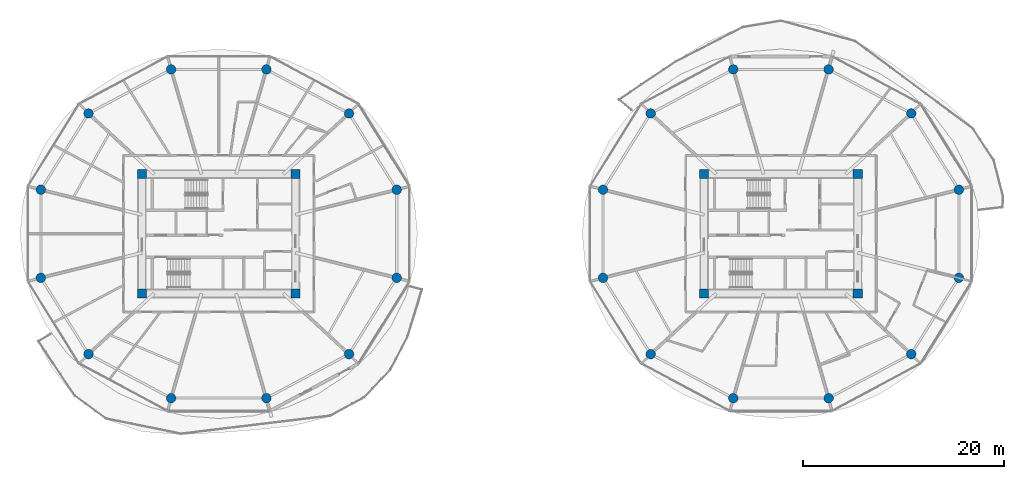
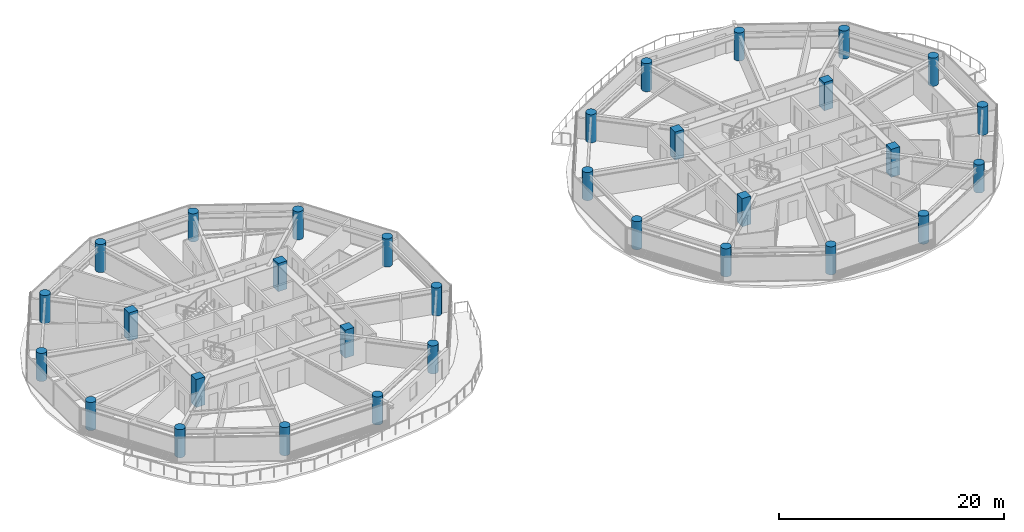
# One storey, part 1 of 26: 32 columns.
"""IFC4 building model written with IfcOpenShell, lengths in metres."""

from ifc_helpers import new_model, si_unit, direction, frame, origin, origin_2d, place, context, subcontext, project, spatial, rectangle, circle, extrude, source, transform, mapped, material, material_profile, profile_set, type_object, type_shapes, element, save


model = new_model("IFC4")

# Units and contexts
model_context = context("Model", 3, precision=1e-05, world=origin(), true_north=direction((0.0, 1.0)))
body_context = subcontext(model_context, "Body", "Model", "MODEL_VIEW")
ifc_project = project(units=[si_unit("LENGTHUNIT", "METRE"), si_unit("AREAUNIT", "SQUARE_METRE"), si_unit("VOLUMEUNIT", "CUBIC_METRE"), si_unit("PLANEANGLEUNIT", "RADIAN"), si_unit("MASSUNIT", "GRAM", prefix="KILO")], contexts=[model_context])

# Site, building, storey
site_placement = place(None, origin())
site = spatial("IfcSite", under=ifc_project, at=site_placement, CompositionType="ELEMENT")
building_placement = place(site_placement, origin())
building = spatial("IfcBuilding", under=site, at=building_placement, Name="Norrkilde Senior Care Towers", CompositionType="ELEMENT")
storey_placement = place(building_placement, frame((0.0, 0.0, 55.14990234375)))
storey = spatial("IfcBuildingStorey", under=building, at=storey_placement, Name="L16", CompositionType="ELEMENT", Elevation=55.14990234375)

# Columns
ifc_material = material(Name="Concrete C60/75", Category="concrete")
ifc_material_profile_1 = material_profile(ifc_material, rectangle(XDim=0.89990234375, YDim=0.89990234375, at=origin_2d()), Name="RC COL 900x900")
ifc_profile_set_1 = profile_set([ifc_material_profile_1], Name="Concrete C60/75")
column_type_1 = type_object("IfcColumnType", Name="Column Core Corner Z1-Z2 900", PredefinedType="COLUMN", material=ifc_profile_set_1)
shared_shape_1 = source(origin(), body_context, "Body", "SweptSolid", [
    extrude(rectangle(XDim=0.89990234375, YDim=0.89990234375, at=origin_2d()), origin(), (0.0, 0.0, 1.0), 3.050048828125),
])
type_shapes(column_type_1, [shared_shape_1])
for number, where, z_axis, x_axis, name in (
    (1, (-35.64990234375, -5.949951171875, 0.0), (0.0, 0.0, 1.0), (1.0, 0.0, 0.0), "L16 Core W Corner Column 1"),
    (2, (-20.35009765625, -5.949951171875, 0.0), (0.0, 0.0, 1.0), (1.0, 0.0, 0.0), "L16 Core W Corner Column 2"),
    (3, (-20.35009765625, 5.949951171875, 0.0), (0.0, 0.0, 1.0), (1.0, 0.0, 0.0), "L16 Core W Corner Column 3"),
    (4, (-35.64990234375, 5.949951171875, 0.0), (0.0, 0.0, 1.0), (1.0, 0.0, 0.0), "L16 Core W Corner Column 4"),
    (5, (20.35009765625, -5.949951171875, 0.0), (0.0, 0.0, 1.0), (1.0, 0.0, 0.0), "L16 Core E Corner Column 1"),
    (6, (35.64990234375, -5.949951171875, 0.0), (0.0, 0.0, 1.0), (1.0, 0.0, 0.0), "L16 Core E Corner Column 2"),
    (7, (35.64990234375, 5.949951171875, 0.0), (0.0, 0.0, 1.0), (1.0, 0.0, 0.0), "L16 Core E Corner Column 3"),
    (8, (20.35009765625, 5.949951171875, 0.0), (0.0, 0.0, 1.0), (1.0, 0.0, 0.0), "L16 Core E Corner Column 4"),
):
    element("IfcColumn", number, at=place(storey_placement, frame(where, z_axis=z_axis, x_axis=x_axis)), inside=storey, type_object=column_type_1, Name=name, PredefinedType="COLUMN", context=body_context, shape_type="MappedRepresentation", body=[
        mapped(shared_shape_1, transform((0.0, 0.0, 0.0), x_axis=(1.0, 0.0, 0.0), y_axis=(0.0, 1.0, 0.0), z_axis=(0.0, 0.0, 1.0), scale=1.0)),
    ])
ifc_material_profile_2 = material_profile(ifc_material, circle(Radius=0.47509765625, at=origin_2d()), Name="RC CIR 950")
ifc_profile_set_2 = profile_set([ifc_material_profile_2], Name="Concrete C60/75")
column_type_2 = type_object("IfcColumnType", Name="Column Perimeter Z1 950", PredefinedType="COLUMN", material=ifc_profile_set_2)
shared_shape_2 = source(origin(), body_context, "Body", "SweptSolid", [
    extrude(circle(Radius=0.47509765625, at=origin_2d()), origin(), (0.0, 0.0, 1.0), 3.050048828125),
])
type_shapes(column_type_2, [shared_shape_2])
for number, where, z_axis, x_axis, name in (
    (9, (-10.275146484375, 4.386962890625, 0.0), (0.0, 0.0, 1.0), (1.0, 0.0, 0.0), "L16 Drum W Perimeter Column 01"),
    (10, (-15.024658203125, 11.9853515625, 0.0), (0.0, 0.0, 1.0), (1.0, 0.0, 0.0), "L16 Drum W Perimeter Column 02"),
    (11, (-23.250732421875, 16.37255859375, 0.0), (0.0, 0.0, 1.0), (1.0, 0.0, 0.0), "L16 Drum W Perimeter Column 03"),
    (12, (-32.749267578125, 16.37255859375, 0.0), (0.0, 0.0, 1.0), (1.0, 0.0, 0.0), "L16 Drum W Perimeter Column 04"),
    (13, (-40.975341796875, 11.9853515625, 0.0), (0.0, 0.0, 1.0), (1.0, 0.0, 0.0), "L16 Drum W Perimeter Column 05"),
    (14, (-45.724853515625, 4.386962890625, 0.0), (0.0, 0.0, 1.0), (1.0, 0.0, 0.0), "L16 Drum W Perimeter Column 06"),
    (15, (-45.724853515625, -4.386962890625, 0.0), (0.0, 0.0, 1.0), (1.0, 0.0, 0.0), "L16 Drum W Perimeter Column 07"),
    (16, (-40.975341796875, -11.9853515625, 0.0), (0.0, 0.0, 1.0), (1.0, 0.0, 0.0), "L16 Drum W Perimeter Column 08"),
    (17, (-32.749267578125, -16.37255859375, 0.0), (0.0, 0.0, 1.0), (1.0, 0.0, 0.0), "L16 Drum W Perimeter Column 09"),
    (18, (-23.250732421875, -16.37255859375, 0.0), (0.0, 0.0, 1.0), (1.0, 0.0, 0.0), "L16 Drum W Perimeter Column 10"),
    (19, (-15.024658203125, -11.9853515625, 0.0), (0.0, 0.0, 1.0), (1.0, 0.0, 0.0), "L16 Drum W Perimeter Column 11"),
    (20, (-10.275146484375, -4.386962890625, 0.0), (0.0, 0.0, 1.0), (1.0, 0.0, 0.0), "L16 Drum W Perimeter Column 12"),
    (21, (45.724853515625, 4.386962890625, 0.0), (0.0, 0.0, 1.0), (1.0, 0.0, 0.0), "L16 Drum E Perimeter Column 01"),
    (22, (40.975341796875, 11.9853515625, 0.0), (0.0, 0.0, 1.0), (1.0, 0.0, 0.0), "L16 Drum E Perimeter Column 02"),
    (23, (32.749267578125, 16.37255859375, 0.0), (0.0, 0.0, 1.0), (1.0, 0.0, 0.0), "L16 Drum E Perimeter Column 03"),
    (24, (23.250732421875, 16.37255859375, 0.0), (0.0, 0.0, 1.0), (1.0, 0.0, 0.0), "L16 Drum E Perimeter Column 04"),
    (25, (15.024658203125, 11.9853515625, 0.0), (0.0, 0.0, 1.0), (1.0, 0.0, 0.0), "L16 Drum E Perimeter Column 05"),
    (26, (10.275146484375, 4.386962890625, 0.0), (0.0, 0.0, 1.0), (1.0, 0.0, 0.0), "L16 Drum E Perimeter Column 06"),
    (27, (10.275146484375, -4.386962890625, 0.0), (0.0, 0.0, 1.0), (1.0, 0.0, 0.0), "L16 Drum E Perimeter Column 07"),
    (28, (15.024658203125, -11.9853515625, 0.0), (0.0, 0.0, 1.0), (1.0, 0.0, 0.0), "L16 Drum E Perimeter Column 08"),
    (29, (23.250732421875, -16.37255859375, 0.0), (0.0, 0.0, 1.0), (1.0, 0.0, 0.0), "L16 Drum E Perimeter Column 09"),
    (30, (32.749267578125, -16.37255859375, 0.0), (0.0, 0.0, 1.0), (1.0, 0.0, 0.0), "L16 Drum E Perimeter Column 10"),
    (31, (40.975341796875, -11.9853515625, 0.0), (0.0, 0.0, 1.0), (1.0, 0.0, 0.0), "L16 Drum E Perimeter Column 11"),
    (32, (45.724853515625, -4.386962890625, 0.0), (0.0, 0.0, 1.0), (1.0, 0.0, 0.0), "L16 Drum E Perimeter Column 12"),
):
    element("IfcColumn", number, at=place(storey_placement, frame(where, z_axis=z_axis, x_axis=x_axis)), inside=storey, type_object=column_type_2, Name=name, PredefinedType="COLUMN", context=body_context, shape_type="MappedRepresentation", body=[
        mapped(shared_shape_2, transform((0.0, 0.0, 0.0), x_axis=(1.0, 0.0, 0.0), y_axis=(0.0, 1.0, 0.0), z_axis=(0.0, 0.0, 1.0), scale=1.0)),
    ])

save(model, "model.ifc")
